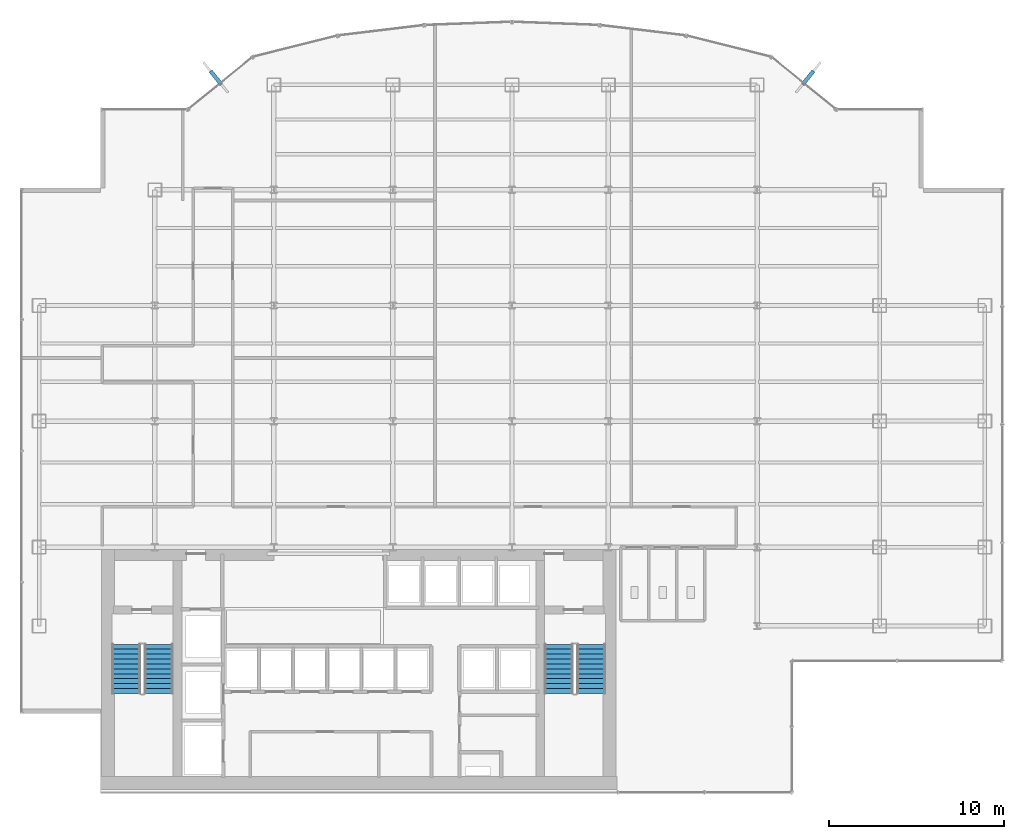
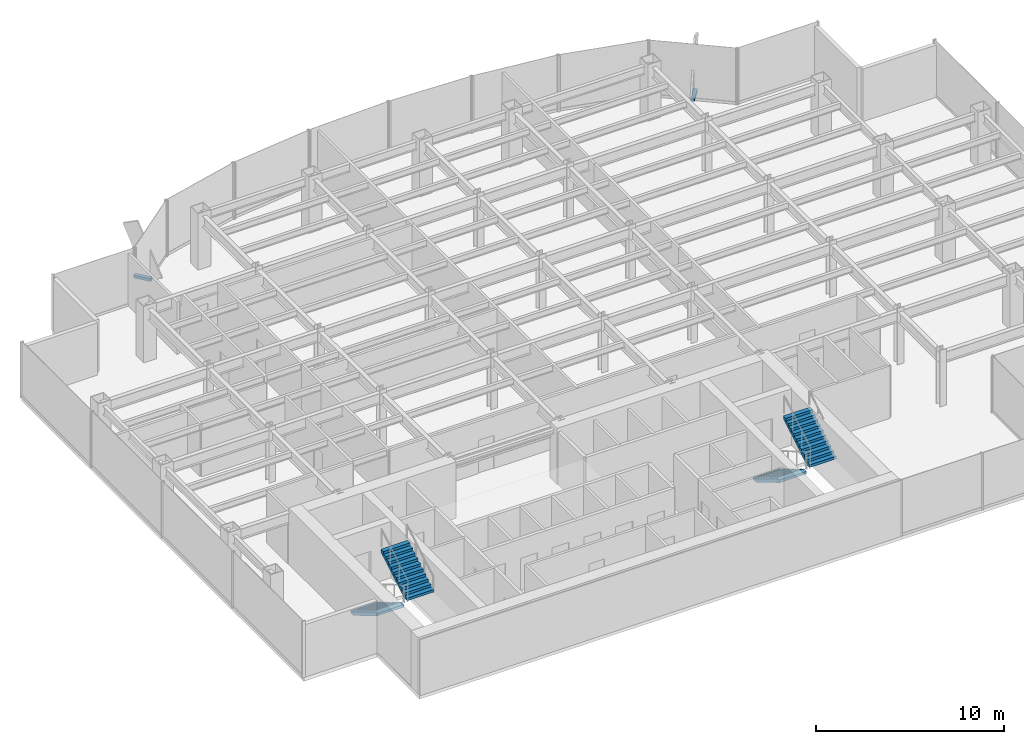
# One storey, part 23 of 26: 4 stair flights, 2 discrete accessories, 2 elements without a shape of their own.
"""IFC4 building model written with IfcOpenShell, lengths in metres."""

from ifc_helpers import new_model, si_unit, derived_unit, direction, frame, origin, origin_2d, place, context, subcontext, project, spatial, polyline, rectangle, outline, extrude, source, transform, mapped, material, type_object, element, aggregate, save


model = new_model("IFC4")

# Units and contexts
model_context = context("Model", 3, precision=1e-05, world=origin(), true_north=direction((0.0, 1.0)))
body_context = subcontext(model_context, "Body", "Model", "MODEL_VIEW")
ifc_project = project(units=[si_unit("LENGTHUNIT", "METRE"), si_unit("AREAUNIT", "SQUARE_METRE"), si_unit("VOLUMEUNIT", "CUBIC_METRE"), si_unit("PLANEANGLEUNIT", "RADIAN"), si_unit("MASSUNIT", "GRAM", prefix="KILO"), derived_unit("THERMALTRANSMITTANCEUNIT", [(si_unit("POWERUNIT", "WATT"), 1), (si_unit("LENGTHUNIT", "METRE"), -2), (si_unit("THERMODYNAMICTEMPERATUREUNIT", "KELVIN"), -1)])], contexts=[model_context])

# Site, building, storey
site_placement = place(None, origin())
site = spatial("IfcSite", under=ifc_project, at=site_placement, CompositionType="ELEMENT")
building_placement = place(site_placement, origin())
building = spatial("IfcBuilding", under=site, at=building_placement, Name="Skarnbrae Concourse Arena and Tower", CompositionType="ELEMENT")
storey_placement = place(building_placement, frame((0.0, 0.0, 106.89990234375)))
storey = spatial("IfcBuildingStorey", under=building, at=storey_placement, Name="L26", CompositionType="ELEMENT", Elevation=106.89990234375)

# Stair, stair flights
ifc_material_1 = material(Name="Concrete 40 MPa (C40/50)", Category="concrete")
stair_type = type_object("IfcStairType", Name="STAIR-DOGLEG-1650", PredefinedType="HALF_TURN_STAIR", material=ifc_material_1)
stair_1_placement = place(storey_placement, origin())
stair_1 = element("IfcStair", 1, at=stair_1_placement, inside=storey, type_object=stair_type, Name="L26 Protected Exit Stair ST-1", PredefinedType="HALF_TURN_STAIR")
stair_flight_type = type_object("IfcStairFlightType", Name="FLIGHT-STRAIGHT-1650", PredefinedType="STRAIGHT", material=ifc_material_1)
shared_shape_1 = source(origin(), body_context, "Body", "SweptSolid", [
    extrude(outline(polyline([(0.0, 0.0), (0.0, 0.166015625), (0.280029296875, 0.166015625), (0.280029296875, 0.331787109375), (0.56005859375, 0.331787109375), (0.56005859375, 0.497802734375), (0.840087890625, 0.497802734375), (0.840087890625, 0.66357421875), (1.1201171875, 0.66357421875), (1.1201171875, 0.82958984375), (1.39990234375, 0.82958984375), (1.39990234375, 0.995361328125), (1.679931640625, 0.995361328125), (1.679931640625, 1.161376953125), (1.9599609375, 1.161376953125), (1.9599609375, 1.327392578125), (2.239990234375, 1.327392578125), (2.239990234375, 1.4931640625), (2.52001953125, 1.4931640625), (2.52001953125, 1.6591796875), (2.800048828125, 1.6591796875), (2.800048828125, 1.824951171875), (2.800048828125, 1.48486328125), (0.2939453125, 0.0), (0.0, 0.0)])), frame((0.0, 0.824951171875, 0.0), z_axis=(0.0, -1.0, 0.0), x_axis=(1.0, 0.0, 0.0)), (0.0, 0.0, 1.0), 1.64990234375),
])
stair_flight_1_placement = place(storey_placement, frame((5.97509765625, 8.449951171875, 0.0), z_axis=(0.0, 0.0, 1.0), x_axis=(0.0, -1.0, 0.0)))
stair_flight_1 = element("IfcStairFlight", 2, at=stair_flight_1_placement, type_object=stair_flight_type, Name="ST-1 flight 1", NumberOfRisers=11, NumberOfTreads=10, PredefinedType="STRAIGHT", RiserHeight=0.165909091, TreadLength=0.28, context=body_context, shape_type="MappedRepresentation", body=[
    mapped(shared_shape_1, transform((0.0, 0.0, 0.0))),
])
stair_flight_2_placement = place(storey_placement, frame((7.824951171875, 5.64990234375, 1.8251953125), z_axis=(0.0, 0.0, 1.0), x_axis=(0.0, 1.0, 0.0)))
stair_flight_2 = element("IfcStairFlight", 3, at=stair_flight_2_placement, type_object=stair_flight_type, Name="ST-1 flight 2", NumberOfRisers=11, NumberOfTreads=10, PredefinedType="STRAIGHT", RiserHeight=0.165909091, TreadLength=0.28, context=body_context, shape_type="MappedRepresentation", body=[
    mapped(shared_shape_1, transform((0.0, 0.0, 0.0))),
])
aggregate(stair_1, [stair_flight_1, stair_flight_2])

stair_2_placement = place(storey_placement, origin())
stair_2 = element("IfcStair", 4, at=stair_2_placement, inside=storey, type_object=stair_type, Name="L26 Protected Exit Stair ST-2", PredefinedType="HALF_TURN_STAIR")
stair_flight_3_placement = place(storey_placement, frame((30.675048828125, 8.449951171875, 0.0), z_axis=(0.0, 0.0, 1.0), x_axis=(0.0, -1.0, 0.0)))
stair_flight_3 = element("IfcStairFlight", 5, at=stair_flight_3_placement, type_object=stair_flight_type, Name="ST-2 flight 1", NumberOfRisers=11, NumberOfTreads=10, PredefinedType="STRAIGHT", RiserHeight=0.165909091, TreadLength=0.28, context=body_context, shape_type="MappedRepresentation", body=[
    mapped(shared_shape_1, transform((0.0, 0.0, 0.0))),
])
stair_flight_4_placement = place(storey_placement, frame((32.52490234375, 5.64990234375, 1.8251953125), z_axis=(0.0, 0.0, 1.0), x_axis=(0.0, 1.0, 0.0)))
stair_flight_4 = element("IfcStairFlight", 6, at=stair_flight_4_placement, type_object=stair_flight_type, Name="ST-2 flight 2", NumberOfRisers=11, NumberOfTreads=10, PredefinedType="STRAIGHT", RiserHeight=0.165909091, TreadLength=0.28, context=body_context, shape_type="MappedRepresentation", body=[
    mapped(shared_shape_1, transform((0.0, 0.0, 0.0))),
])
aggregate(stair_2, [stair_flight_3, stair_flight_4])

# Discrete accessories
ifc_material_2 = material(Name="Bronze anodised aluminium 6063-T6", Category="aluminium")
discrete_accessory_type = type_object("IfcDiscreteAccessoryType", Name="ACC-FIN-BRACKET", PredefinedType="BRACKET", material=ifc_material_2)
shared_shape_2 = source(origin(), body_context, "Body", "SweptSolid", [
    extrude(rectangle(XDim=0.219970703125, YDim=0.97998046875, at=origin_2d()), origin(), (0.0, 0.0, 1.0), 0.179931640625),
])
for number, where, z_axis, x_axis, name in (
    (7, (44.90771484375, 40.80859375, -0.02978515625), (0.0, 0.0, 1.0), (0.776244501415, -0.630431974144, 0.0), "L26 Bronze fin foot support bracket 08"),
    (8, (11.09228515625, 40.80859375, -0.02978515625), (0.0, 0.0, 1.0), (0.776244501415, 0.630431974144, 0.0), "L26 Bronze fin foot support bracket 15"),
):
    element("IfcDiscreteAccessory", number, at=place(storey_placement, frame(where, z_axis=z_axis, x_axis=x_axis)), inside=storey, type_object=discrete_accessory_type, Name=name, PredefinedType="BRACKET", context=body_context, shape_type="MappedRepresentation", body=[
        mapped(shared_shape_2, transform((0.0, 0.0, 0.0))),
    ])

save(model, "model.ifc")
